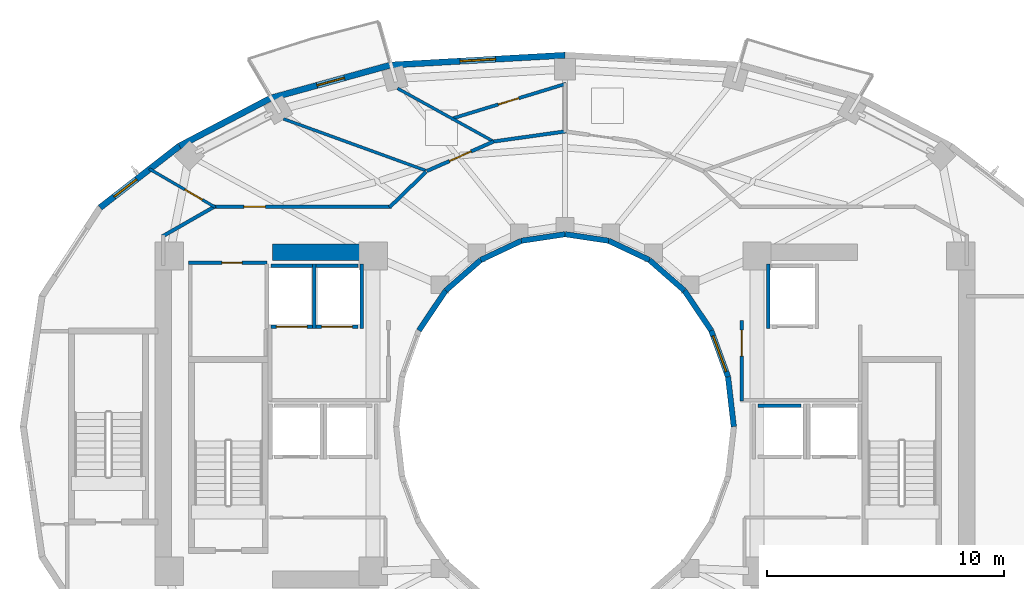
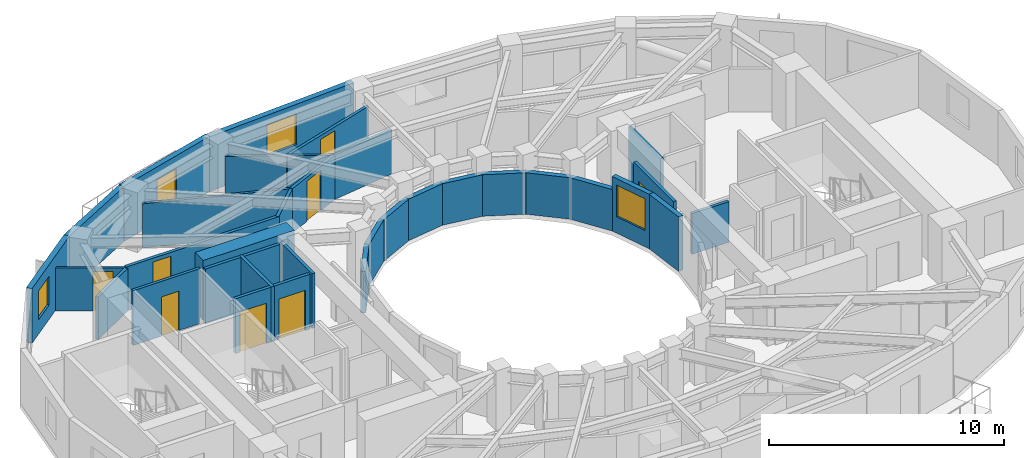
# One storey, part 5 of 10: 34 walls, 9 doors, 3 windows, 12 openings.
"""IFC4 building model written with IfcOpenShell, lengths in metres."""

from ifc_helpers import new_model, si_unit, direction, frame, frame_2d, origin, place, context, subcontext, project, spatial, rectangle, extrude, material, layer, layer_set, type_object, element, fill, save


model = new_model("IFC4")

# Units and contexts
model_context = context("Model", 3, precision=1e-05, world=origin(), true_north=direction((0.0, 1.0)))
body_context = subcontext(model_context, "Body", "Model", "MODEL_VIEW")
ifc_project = project(units=[si_unit("LENGTHUNIT", "METRE"), si_unit("AREAUNIT", "SQUARE_METRE"), si_unit("VOLUMEUNIT", "CUBIC_METRE"), si_unit("PLANEANGLEUNIT", "RADIAN"), si_unit("MASSUNIT", "GRAM", prefix="KILO")], contexts=[model_context])

# Site, building, storey
site_placement = place(None, origin())
site = spatial("IfcSite", under=ifc_project, at=site_placement, CompositionType="ELEMENT")
building_placement = place(site_placement, origin())
building = spatial("IfcBuilding", under=site, at=building_placement, Name="Solvane Sanctuary Tower", CompositionType="ELEMENT")
storey_placement = place(building_placement, frame((0.0, 0.0, 165.300048828125)))
storey = spatial("IfcBuildingStorey", under=building, at=storey_placement, Name="L50", CompositionType="ELEMENT", Elevation=165.300048828125)

# Wall
ifc_material_1 = material(Name="Concrete C60/75", Category="concrete")
ifc_layer_1 = layer(ifc_material_1, 0.699951171875, Name="Concrete C60/75")
ifc_layer_set_1 = layer_set([ifc_layer_1], Name="Concrete C60/75")
wall_type_1 = type_object("IfcWallType", Name="Wall W-CORE-700", PredefinedType="SHEAR", material=ifc_layer_set_1)
wall_1_placement = place(storey_placement, frame((19.64990234375, 30.35009765625, 0.0), z_axis=(0.0, 0.0, 1.0), x_axis=(1.0, 0.0, 0.0)))
element("IfcWall", 1, at=wall_1_placement, inside=storey, type_object=wall_type_1, Name="L50 Core Shear Wall WC-N", PredefinedType="SHEAR", context=body_context, shape_type="SweptSolid", body=[
    extrude(rectangle(XDim=4.5, YDim=0.699951171875, at=frame_2d((2.25, 0.0))), origin(), (0.0, 0.0, 1.0), 3.099853515625),
])

# Wall, opening, door
ifc_material_2 = material(Name="Acoustic Gypsum Partition Board")
ifc_layer_2 = layer(ifc_material_2, 0.14990234375, Name="Acoustic Gypsum Partition Board")
ifc_layer_set_2 = layer_set([ifc_layer_2], Name="Acoustic Gypsum Partition Board")
wall_type_2 = type_object("IfcWallType", Name="Wall W-CORR-150", PredefinedType="PARTITIONING", material=ifc_layer_set_2)
wall_2_placement = place(storey_placement, frame((39.449951171875, 24.080078125, 0.0), z_axis=(0.0, 0.0, 1.0), x_axis=(0.0, 1.0, 0.0)))
wall_2 = element("IfcWall", 2, at=wall_2_placement, inside=storey, type_object=wall_type_2, Name="L50 East Firefighting Lobby West Wall", PredefinedType="PARTITIONING", context=body_context, shape_type="SweptSolid", body=[
    extrude(rectangle(XDim=3.39990234375, YDim=0.14990234375, at=frame_2d((1.699951171875, 0.0))), origin(), (0.0, 0.0, 1.0), 2.85498046875),
])
opening_1_placement = place(wall_2_placement, frame((1.893798828125, 0.0, 0.0)))
opening_1 = element("IfcOpeningElement", 3, at=opening_1_placement, cuts=wall_2, Name="Opening D-L50-09", PredefinedType="OPENING", context=body_context, shape_type="SweptSolid", body=[
    extrude(rectangle(XDim=1.10009765625, YDim=2.10009765625, at=frame_2d((0.550048828125, 1.050048828125))), frame((0.0, 0.0849609375, 0.0), z_axis=(0.0, -1.0, 0.0), x_axis=(1.0, 0.0, 0.0)), (0.0, 0.0, 1.0), 0.169921875),
])
ifc_material_3 = material(Name="Architectural Stainless Steel 316", Category="steel")
door_type_1 = type_object("IfcDoorType", Name="Door D-FFL", OperationType="NOTDEFINED", PredefinedType="DOOR", material=ifc_material_3)
door_1_placement = place(opening_1_placement, origin())
door_1 = element("IfcDoor", 4, at=door_1_placement, inside=storey, type_object=door_type_1, Name="L50 East Firefighting Lobby Fire Door", OperationType="SINGLE_SWING_RIGHT", OverallHeight=2.10009765625, OverallWidth=1.10009765625, PredefinedType="DOOR", context=body_context, shape_type="SweptSolid", body=[
    extrude(rectangle(XDim=1.10009765625, YDim=2.10009765625, at=frame_2d((0.550048828125, 1.050048828125))), frame((0.0, 0.02490234375, 0.0), z_axis=(0.0, -1.0, 0.0), x_axis=(1.0, 0.0, 0.0)), (0.0, 0.0, 1.0), 0.050048828125),
])
fill(opening_1, door_1)

# Wall
wall_3_placement = place(storey_placement, frame((26.132568359375, 33.748779296875, 0.0), z_axis=(0.0, 0.0, 1.0), x_axis=(-0.717419568599, -0.696641344302, 0.0)))
element("IfcWall", 5, at=wall_3_placement, inside=storey, type_object=wall_type_2, Name="L50 NW Corner Throat Wall", PredefinedType="PARTITIONING", context=body_context, shape_type="SweptSolid", body=[
    extrude(rectangle(XDim=2.138427734375, YDim=0.14990234375, at=frame_2d((1.0693359375, 0.0))), origin(), (0.0, 0.0, 1.0), 2.299072265625),
])

# Wall, opening, door
wall_4_placement = place(storey_placement, frame((17.14990234375, 32.280029296875, 0.0), z_axis=(0.0, 0.0, 1.0), x_axis=(1.0, 0.0, 0.0)))
wall_4 = element("IfcWall", 6, at=wall_4_placement, inside=storey, type_object=wall_type_2, Name="L50 NW Corner Corridor Wall", PredefinedType="PARTITIONING", context=body_context, shape_type="SweptSolid", body=[
    extrude(rectangle(XDim=7.52001953125, YDim=0.14990234375, at=frame_2d((3.760009765625, 0.0))), origin(), (0.0, 0.0, 1.0), 2.299072265625),
])
opening_2_placement = place(wall_4_placement, frame((1.300048828125, 0.0, 0.0)))
opening_2 = element("IfcOpeningElement", 7, at=opening_2_placement, cuts=wall_4, Name="Opening D-L50-16", PredefinedType="OPENING", context=body_context, shape_type="SweptSolid", body=[
    extrude(rectangle(XDim=0.89990234375, YDim=2.10009765625, at=frame_2d((0.449951171875, 1.050048828125))), frame((0.0, 0.0849609375, 0.0), z_axis=(0.0, -1.0, 0.0), x_axis=(1.0, 0.0, 0.0)), (0.0, 0.0, 1.0), 0.169921875),
])
ifc_material_4 = material(Name="Engineered Tropical Hardwood", Category="wood")
door_type_2 = type_object("IfcDoorType", Name="Door D-WET-900", OperationType="NOTDEFINED", PredefinedType="DOOR", material=ifc_material_4)
door_2_placement = place(opening_2_placement, origin())
door_2 = element("IfcDoor", 8, at=door_2_placement, inside=storey, type_object=door_type_2, Name="L50 NW Corner Salon Door", OperationType="SINGLE_SWING_LEFT", OverallHeight=2.10009765625, OverallWidth=0.89990234375, PredefinedType="DOOR", context=body_context, shape_type="SweptSolid", body=[
    extrude(rectangle(XDim=0.89990234375, YDim=2.10009765625, at=frame_2d((0.449951171875, 1.050048828125))), frame((0.0, 0.02490234375, 0.0), z_axis=(0.0, -1.0, 0.0), x_axis=(1.0, 0.0, 0.0)), (0.0, 0.0, 1.0), 0.050048828125),
])
fill(opening_2, door_2)

# Walls
wall_5_placement = place(storey_placement, frame((17.243408203125, 32.3046875, 0.0), z_axis=(0.0, 0.0, 1.0), x_axis=(-0.867991349648, -0.496579315857, 0.0)))
element("IfcWall", 9, at=wall_5_placement, inside=storey, type_object=wall_type_2, Name="L50 NW Corner Wing Wall", PredefinedType="PARTITIONING", context=body_context, shape_type="SweptSolid", body=[
    extrude(rectangle(XDim=2.56689453125, YDim=0.14990234375, at=frame_2d((1.283447265625, 0.0))), origin(), (0.0, 0.0, 1.0), 2.219970703125),
])
wall_6_placement = place(storey_placement, frame((32.049560546875, 35.462890625, 0.0), z_axis=(0.0, 0.0, 1.0), x_axis=(-0.990254405439, -0.139270285808, 0.0)))
element("IfcWall", 10, at=wall_6_placement, inside=storey, type_object=wall_type_2, Name="L50 En-suite Inner Wall N1", PredefinedType="PARTITIONING", context=body_context, shape_type="SweptSolid", body=[
    extrude(rectangle(XDim=3.146728515625, YDim=0.14990234375, at=frame_2d((1.5732421875, 0.0))), origin(), (0.0, 0.0, 1.0), 2.299072265625),
])

# Wall, opening, door
wall_7_placement = place(storey_placement, frame((28.9912109375, 35.03369140625, 0.0), z_axis=(0.0, 0.0, 1.0), x_axis=(-0.91445214467, -0.404694051239, 0.0)))
wall_7 = element("IfcWall", 11, at=wall_7_placement, inside=storey, type_object=wall_type_2, Name="L50 Unit Corridor Wall N2", PredefinedType="PARTITIONING", context=body_context, shape_type="SweptSolid", body=[
    extrude(rectangle(XDim=3.090576171875, YDim=0.14990234375, at=frame_2d((1.54541015625, 0.0))), origin(), (0.0, 0.0, 1.0), 2.299072265625),
])
opening_3_placement = place(wall_7_placement, frame((1.04541015625, 0.0, 0.0)))
opening_3 = element("IfcOpeningElement", 12, at=opening_3_placement, cuts=wall_7, Name="Opening D-L50-23", PredefinedType="OPENING", context=body_context, shape_type="SweptSolid", body=[
    extrude(rectangle(XDim=1.0, YDim=2.10009765625, at=frame_2d((0.5, 1.050048828125))), frame((0.0, 0.0849609375, 0.0), z_axis=(0.0, -1.0, 0.0), x_axis=(1.0, 0.0, 0.0)), (0.0, 0.0, 1.0), 0.169921875),
])
door_type_3 = type_object("IfcDoorType", Name="Door D-UNIT", OperationType="NOTDEFINED", PredefinedType="DOOR", material=ifc_material_4)
door_3_placement = place(opening_3_placement, origin())
door_3 = element("IfcDoor", 13, at=door_3_placement, inside=storey, type_object=door_type_3, Name="L50 Unit Entrance Door N2", OperationType="SINGLE_SWING_RIGHT", OverallHeight=2.10009765625, OverallWidth=1.0, PredefinedType="DOOR", context=body_context, shape_type="SweptSolid", body=[
    extrude(rectangle(XDim=1.0, YDim=2.10009765625, at=frame_2d((0.5, 1.050048828125))), frame((0.0, 0.02490234375, 0.0), z_axis=(0.0, -1.0, 0.0), x_axis=(1.0, 0.0, 0.0)), (0.0, 0.0, 1.0), 0.050048828125),
])
fill(opening_3, door_3)

# Wall, opening, window
ifc_material_5 = material(Name="Precast concrete C40/50", Category="concrete")
ifc_layer_3 = layer(ifc_material_5, 0.260009765625, Name="Precast concrete C40/50")
ifc_layer_set_3 = layer_set([ifc_layer_3], Name="Precast concrete C40/50")
wall_type_3 = type_object("IfcWallType", Name="Wall W-EXT-250", PredefinedType="STANDARD", material=ifc_layer_set_3)
wall_8_placement = place(storey_placement, frame((32.0, 38.67138671875, 0.0), z_axis=(0.0, 0.0, 1.0), x_axis=(-0.998417906562, -0.056228852534, 0.0)))
wall_8 = element("IfcWall", 14, at=wall_8_placement, inside=storey, type_object=wall_type_3, Name="L50 Ceramic-Printed Facade Wall 06", PredefinedType="STANDARD", context=body_context, shape_type="SweptSolid", body=[
    extrude(rectangle(XDim=7.376953125, YDim=0.260009765625, at=frame_2d((3.6884765625, 0.0))), origin(), (0.0, 0.0, 1.0), 2.849853515625),
])
opening_4_placement = place(wall_8_placement, frame((2.9384765625, 0.0, 0.75)))
opening_4 = element("IfcOpeningElement", 15, at=opening_4_placement, cuts=wall_8, Name="Opening WN-OPER-1500", PredefinedType="OPENING", context=body_context, shape_type="SweptSolid", body=[
    extrude(rectangle(XDim=1.5, YDim=1.60009765625, at=frame_2d((0.75, 0.800048828125))), frame((0.0, 0.139892578125, 0.0), z_axis=(0.0, -1.0, 0.0), x_axis=(1.0, 0.0, 0.0)), (0.0, 0.0, 1.0), 0.280029296875),
])
ifc_material_6 = material(Name="Dark Ceramic-Fritted Low-E Glass", Category="glass")
window_type_1 = type_object("IfcWindowType", Name="Window WN-OPER-1500", PartitioningType="SINGLE_PANEL", PredefinedType="WINDOW", material=ifc_material_6)
window_1_placement = place(opening_4_placement, origin())
window_1 = element("IfcWindow", 16, at=window_1_placement, inside=storey, type_object=window_type_1, Name="L50 Operable Facade Window 06", OverallHeight=1.60009765625, OverallWidth=1.5, PartitioningType="SINGLE_PANEL", PredefinedType="WINDOW", context=body_context, shape_type="SweptSolid", body=[
    extrude(rectangle(XDim=1.5, YDim=1.60009765625, at=frame_2d((0.75, 0.800048828125))), frame((0.0, 0.030029296875, 0.0), z_axis=(0.0, -1.0, 0.0), x_axis=(1.0, 0.0, 0.0)), (0.0, 0.0, 1.0), 0.06005859375),
])
fill(opening_4, window_1)

# Wall, opening, door
wall_9_placement = place(storey_placement, frame((24.634765625, 38.256591796875, 0.0), z_axis=(0.0, 0.0, 1.0), x_axis=(-0.963953455704, -0.26607092144, 0.0)))
wall_9 = element("IfcWall", 17, at=wall_9_placement, inside=storey, type_object=wall_type_3, Name="L50 Balcony Facade Wall N2", PredefinedType="STANDARD", context=body_context, shape_type="SweptSolid", body=[
    extrude(rectangle(XDim=5.236572265625, YDim=0.260009765625, at=frame_2d((2.6181640625, 0.0))), origin(), (0.0, 0.0, 1.0), 2.8798828125),
])
opening_5_placement = place(wall_9_placement, frame((2.018310546875, 0.0, 0.0)))
opening_5 = element("IfcOpeningElement", 18, at=opening_5_placement, cuts=wall_9, Name="Opening D-L50-02", PredefinedType="OPENING", context=body_context, shape_type="SweptSolid", body=[
    extrude(rectangle(XDim=1.199951171875, YDim=2.199951171875, at=frame_2d((0.60009765625, 1.10009765625))), frame((0.0, 0.139892578125, 0.0), z_axis=(0.0, -1.0, 0.0), x_axis=(1.0, 0.0, 0.0)), (0.0, 0.0, 1.0), 0.280029296875),
])
ifc_material_7 = material(Name="Anodised Aluminium 6063-T6", Category="aluminium")
door_type_4 = type_object("IfcDoorType", Name="Door D-BALC-1200", OperationType="NOTDEFINED", PredefinedType="DOOR", material=ifc_material_7)
door_4_placement = place(opening_5_placement, origin())
door_4 = element("IfcDoor", 19, at=door_4_placement, inside=storey, type_object=door_type_4, Name="L50 Glazed Balcony Door N2", OperationType="SINGLE_SWING_LEFT", OverallHeight=2.199951171875, OverallWidth=1.199951171875, PredefinedType="DOOR", context=body_context, shape_type="SweptSolid", body=[
    extrude(rectangle(XDim=1.199951171875, YDim=2.199951171875, at=frame_2d((0.60009765625, 1.10009765625))), frame((0.0, 0.02490234375, 0.0), z_axis=(0.0, -1.0, 0.0), x_axis=(1.0, 0.0, 0.0)), (0.0, 0.0, 1.0), 0.050048828125),
])
fill(opening_5, door_4)

# Wall
wall_10_placement = place(storey_placement, frame((19.5869140625, 36.86328125, 0.0), z_axis=(0.0, 0.0, 1.0), x_axis=(-0.885660265226, -0.464333818065, 0.0)))
element("IfcWall", 20, at=wall_10_placement, inside=storey, type_object=wall_type_3, Name="L50 Ceramic-Printed Facade Wall 08", PredefinedType="STANDARD", context=body_context, shape_type="SweptSolid", body=[
    extrude(rectangle(XDim=4.35400390625, YDim=0.260009765625, at=frame_2d((2.177001953125, 0.0))), origin(), (0.0, 0.0, 1.0), 2.849853515625),
])

# Wall, opening, window
wall_11_placement = place(storey_placement, frame((15.730712890625, 34.841552734375, 0.0), z_axis=(0.0, 0.0, 1.0), x_axis=(-0.790185650662, -0.612867552973, 0.0)))
wall_11 = element("IfcWall", 21, at=wall_11_placement, inside=storey, type_object=wall_type_3, Name="L50 Ceramic-Printed Facade Wall 09", PredefinedType="STANDARD", context=body_context, shape_type="SweptSolid", body=[
    extrude(rectangle(XDim=4.2392578125, YDim=0.260009765625, at=frame_2d((2.11962890625, 0.0))), origin(), (0.0, 0.0, 1.0), 2.849853515625),
])
opening_6_placement = place(wall_11_placement, frame((2.290283203125, 0.0, 0.75)))
opening_6 = element("IfcOpeningElement", 22, at=opening_6_placement, cuts=wall_11, Name="Opening WN-OPER-1200", PredefinedType="OPENING", context=body_context, shape_type="SweptSolid", body=[
    extrude(rectangle(XDim=1.199951171875, YDim=1.5, at=frame_2d((0.60009765625, 0.75))), frame((0.0, 0.139892578125, 0.0), z_axis=(0.0, -1.0, 0.0), x_axis=(1.0, 0.0, 0.0)), (0.0, 0.0, 1.0), 0.280029296875),
])
window_type_2 = type_object("IfcWindowType", Name="Window WN-OPER-1200", PartitioningType="SINGLE_PANEL", PredefinedType="WINDOW", material=ifc_material_6)
window_2_placement = place(opening_6_placement, origin())
window_2 = element("IfcWindow", 23, at=window_2_placement, inside=storey, type_object=window_type_2, Name="L50 Operable Facade Window 09", OverallHeight=1.5, OverallWidth=1.199951171875, PartitioningType="SINGLE_PANEL", PredefinedType="WINDOW", context=body_context, shape_type="SweptSolid", body=[
    extrude(rectangle(XDim=1.199951171875, YDim=1.5, at=frame_2d((0.60009765625, 0.75))), frame((0.0, 0.030029296875, 0.0), z_axis=(0.0, -1.0, 0.0), x_axis=(1.0, 0.0, 0.0)), (0.0, 0.0, 1.0), 0.06005859375),
])
fill(opening_6, window_2)

# Wall
ifc_layer_4 = layer(ifc_material_5, 0.22998046875, Name="Precast concrete C40/50")
ifc_layer_set_4 = layer_set([ifc_layer_4], Name="Precast concrete C40/50")
wall_type_4 = type_object("IfcWallType", Name="Wall W-EXT-SP220", PredefinedType="STANDARD", material=ifc_layer_set_4)
wall_12_placement = place(storey_placement, frame((39.1201171875, 23.0, 0.0), z_axis=(0.0, 0.0, 1.0), x_axis=(-0.114711713601, 0.993398823617, 0.0)))
element("IfcWall", 24, at=wall_12_placement, inside=storey, type_object=wall_type_4, Name="L50 Central Light-Well Wall 00", PredefinedType="STANDARD", context=body_context, shape_type="SweptSolid", body=[
    extrude(rectangle(XDim=2.115478515625, YDim=0.22998046875, at=frame_2d((1.0576171875, 0.0))), origin(), (0.0, 0.0, 1.0), 2.83984375),
])

# Wall, opening, window
wall_13_placement = place(storey_placement, frame((38.87744140625, 25.1015625, 0.0), z_axis=(0.0, 0.0, 1.0), x_axis=(-0.341423187295, 0.93990968033, 0.0)))
wall_13 = element("IfcWall", 25, at=wall_13_placement, inside=storey, type_object=wall_type_4, Name="L50 Central Light-Well Wall 01", PredefinedType="STANDARD", context=body_context, shape_type="SweptSolid", body=[
    extrude(rectangle(XDim=2.083740234375, YDim=0.22998046875, at=frame_2d((1.0419921875, 0.0))), origin(), (0.0, 0.0, 1.0), 2.83984375),
])
opening_7_placement = place(wall_13_placement, frame((0.24169921875, 0.0, 0.85009765625)))
opening_7 = element("IfcOpeningElement", 26, at=opening_7_placement, cuts=wall_13, Name="Opening WN-WELL-1600", PredefinedType="OPENING", context=body_context, shape_type="SweptSolid", body=[
    extrude(rectangle(XDim=1.60009765625, YDim=1.64990234375, at=frame_2d((0.800048828125, 0.824951171875))), frame((0.0, 0.125, 0.0), z_axis=(0.0, -1.0, 0.0), x_axis=(1.0, 0.0, 0.0)), (0.0, 0.0, 1.0), 0.25),
])
ifc_material_8 = material(Name="Clear Laminated Light-Well Glass", Category="glass")
window_type_3 = type_object("IfcWindowType", Name="Window WN-WELL-1600", PartitioningType="SINGLE_PANEL", PredefinedType="WINDOW", material=ifc_material_8)
window_3_placement = place(opening_7_placement, origin())
window_3 = element("IfcWindow", 27, at=window_3_placement, inside=storey, type_object=window_type_3, Name="L50 Light-Well Daylight Window 01", OverallHeight=1.64990234375, OverallWidth=1.60009765625, PartitioningType="SINGLE_PANEL", PredefinedType="WINDOW", context=body_context, shape_type="SweptSolid", body=[
    extrude(rectangle(XDim=1.60009765625, YDim=1.64990234375, at=frame_2d((0.800048828125, 0.824951171875))), frame((0.0, 0.030029296875, 0.0), z_axis=(0.0, -1.0, 0.0), x_axis=(1.0, 0.0, 0.0)), (0.0, 0.0, 1.0), 0.06005859375),
])
fill(opening_7, window_3)

# Walls
wall_14_placement = place(storey_placement, frame((38.166015625, 27.06005859375, 0.0), z_axis=(0.0, 0.0, 1.0), x_axis=(-0.558197800898, 0.829707909492, 0.0)))
element("IfcWall", 28, at=wall_14_placement, inside=storey, type_object=wall_type_4, Name="L50 Central Light-Well Wall 02", PredefinedType="STANDARD", context=body_context, shape_type="SweptSolid", body=[
    extrude(rectangle(XDim=2.02685546875, YDim=0.22998046875, at=frame_2d((1.013427734375, 0.0))), origin(), (0.0, 0.0, 1.0), 2.159912109375),
])
wall_15_placement = place(storey_placement, frame((37.03466796875, 28.74169921875, 0.0), z_axis=(0.0, 0.0, 1.0), x_axis=(-0.752576694707, 0.658504607869, 0.0)))
element("IfcWall", 29, at=wall_15_placement, inside=storey, type_object=wall_type_4, Name="L50 Central Light-Well Wall 03", PredefinedType="STANDARD", context=body_context, shape_type="SweptSolid", body=[
    extrude(rectangle(XDim=1.95947265625, YDim=0.22998046875, at=frame_2d((0.979736328125, 0.0))), origin(), (0.0, 0.0, 1.0), 2.159912109375),
])
wall_16_placement = place(storey_placement, frame((35.56005859375, 30.031982421875, 0.0), z_axis=(0.0, 0.0, 1.0), x_axis=(-0.904179699603, 0.427152280606, 0.0)))
element("IfcWall", 30, at=wall_16_placement, inside=storey, type_object=wall_type_4, Name="L50 Central Light-Well Wall 04", PredefinedType="STANDARD", context=body_context, shape_type="SweptSolid", body=[
    extrude(rectangle(XDim=1.899169921875, YDim=0.22998046875, at=frame_2d((0.94970703125, 0.0))), origin(), (0.0, 0.0, 1.0), 2.159912109375),
])
for number, where, z_axis, x_axis, name in (
    (31, (33.8427734375, 30.84326171875, 0.0), (0.0, 0.0, 1.0), (-0.988901730308, 0.148571086668, 0.0), "L50 Central Light-Well Wall 05"),
    (32, (32.0, 31.1201171875, 0.0), (0.0, 0.0, 1.0), (-0.988901730308, -0.148571086668, 0.0), "L50 Central Light-Well Wall 06"),
):
    element("IfcWall", number, at=place(storey_placement, frame(where, z_axis=z_axis, x_axis=x_axis)), inside=storey, type_object=wall_type_4, Name=name, PredefinedType="STANDARD", context=body_context, shape_type="SweptSolid", body=[
        extrude(rectangle(XDim=1.863525390625, YDim=0.22998046875, at=frame_2d((0.931640625, 0.0))), origin(), (0.0, 0.0, 1.0), 2.159912109375),
    ])
wall_17_placement = place(storey_placement, frame((30.1572265625, 30.84326171875, 0.0), z_axis=(0.0, 0.0, 1.0), x_axis=(-0.904179699603, -0.427152280606, 0.0)))
element("IfcWall", 33, at=wall_17_placement, inside=storey, type_object=wall_type_4, Name="L50 Central Light-Well Wall 07", PredefinedType="STANDARD", context=body_context, shape_type="SweptSolid", body=[
    extrude(rectangle(XDim=1.899169921875, YDim=0.22998046875, at=frame_2d((0.94970703125, 0.0))), origin(), (0.0, 0.0, 1.0), 2.159912109375),
])
wall_18_placement = place(storey_placement, frame((28.43994140625, 30.031982421875, 0.0), z_axis=(0.0, 0.0, 1.0), x_axis=(-0.752576694707, -0.658504607869, 0.0)))
element("IfcWall", 34, at=wall_18_placement, inside=storey, type_object=wall_type_4, Name="L50 Central Light-Well Wall 08", PredefinedType="STANDARD", context=body_context, shape_type="SweptSolid", body=[
    extrude(rectangle(XDim=1.95947265625, YDim=0.22998046875, at=frame_2d((0.979736328125, 0.0))), origin(), (0.0, 0.0, 1.0), 2.159912109375),
])
wall_19_placement = place(storey_placement, frame((26.96533203125, 28.74169921875, 0.0), z_axis=(0.0, 0.0, 1.0), x_axis=(-0.558197800898, -0.829707909492, 0.0)))
element("IfcWall", 35, at=wall_19_placement, inside=storey, type_object=wall_type_4, Name="L50 Central Light-Well Wall 09", PredefinedType="STANDARD", context=body_context, shape_type="SweptSolid", body=[
    extrude(rectangle(XDim=2.02685546875, YDim=0.22998046875, at=frame_2d((1.013427734375, 0.0))), origin(), (0.0, 0.0, 1.0), 2.159912109375),
])

# Wall, opening, door
ifc_layer_5 = layer(ifc_material_2, 0.1201171875, Name="Acoustic Gypsum Partition Board")
ifc_layer_set_5 = layer_set([ifc_layer_5], Name="Acoustic Gypsum Partition Board")
wall_type_5 = type_object("IfcWallType", Name="Wall W-MOV-100", PredefinedType="MOVABLE", material=ifc_layer_set_5)
wall_20_placement = place(storey_placement, frame((17.2431640625, 32.2548828125, 0.0), z_axis=(0.0, 0.0, 1.0), x_axis=(-0.864408655832, 0.502789892224, 0.0)))
wall_20 = element("IfcWall", 36, at=wall_20_placement, inside=storey, type_object=wall_type_5, Name="L50 NW Corner Suite Partition", PredefinedType="MOVABLE", context=body_context, shape_type="SweptSolid", body=[
    extrude(rectangle(XDim=3.23046875, YDim=0.1201171875, at=frame_2d((1.615234375, 0.0))), origin(), (0.0, 0.0, 1.0), 2.219970703125),
])
opening_8_placement = place(wall_20_placement, frame((0.640625, 0.0, 0.0)))
opening_8 = element("IfcOpeningElement", 37, at=opening_8_placement, cuts=wall_20, Name="Opening D-L50-15", PredefinedType="OPENING", context=body_context, shape_type="SweptSolid", body=[
    extrude(rectangle(XDim=0.85009765625, YDim=2.050048828125, at=frame_2d((0.425048828125, 1.02490234375))), frame((0.0, 0.070068359375, 0.0), z_axis=(0.0, -1.0, 0.0), x_axis=(1.0, 0.0, 0.0)), (0.0, 0.0, 1.0), 0.14013671875),
])
door_type_5 = type_object("IfcDoorType", Name="Door D-RISER", OperationType="NOTDEFINED", PredefinedType="DOOR", material=ifc_material_3)
door_5_placement = place(opening_8_placement, origin())
door_5 = element("IfcDoor", 38, at=door_5_placement, inside=storey, type_object=door_type_5, Name="L50 NW Corner Suite Door", OperationType="SINGLE_SWING_RIGHT", OverallHeight=2.050048828125, OverallWidth=0.85009765625, PredefinedType="DOOR", context=body_context, shape_type="SweptSolid", body=[
    extrude(rectangle(XDim=0.85009765625, YDim=2.050048828125, at=frame_2d((0.425048828125, 1.02490234375))), frame((0.0, 0.02490234375, 0.0), z_axis=(0.0, -1.0, 0.0), x_axis=(1.0, 0.0, 0.0)), (0.0, 0.0, 1.0), 0.050048828125),
])
fill(opening_8, door_5)

# Walls
ifc_layer_6 = layer(ifc_material_2, 0.125, Name="Acoustic Gypsum Partition Board")
ifc_layer_set_6 = layer_set([ifc_layer_6], Name="Acoustic Gypsum Partition Board")
wall_type_6 = type_object("IfcWallType", Name="Wall W-PART-125", PredefinedType="PARTITIONING", material=ifc_layer_set_6)
wall_21_placement = place(storey_placement, frame((28.93505859375, 35.05810546875, 0.0), z_axis=(0.0, 0.0, 1.0), x_axis=(-0.875077338582, 0.48398311076, 0.0)))
element("IfcWall", 39, at=wall_21_placement, inside=storey, type_object=wall_type_6, Name="L50 Radial Compartment Wall 105", PredefinedType="PARTITIONING", context=body_context, shape_type="SweptSolid", body=[
    extrude(rectangle(XDim=4.5732421875, YDim=0.125, at=frame_2d((2.28662109375, 0.0))), origin(), (0.0, 0.0, 1.0), 2.299072265625),
])
wall_22_placement = place(storey_placement, frame((26.120361328125, 33.805908203125, 0.0), z_axis=(0.0, 0.0, 1.0), x_axis=(-0.939901628116, 0.341445353557, 0.0)))
element("IfcWall", 40, at=wall_22_placement, inside=storey, type_object=wall_type_6, Name="L50 Radial Compartment Wall 120", PredefinedType="PARTITIONING", context=body_context, shape_type="SweptSolid", body=[
    extrude(rectangle(XDim=6.38720703125, YDim=0.125, at=frame_2d((3.193603515625, 0.0))), origin(), (0.0, 0.0, 1.0), 2.299072265625),
])
ifc_material_9 = material(Name="Concrete C50/60", Category="concrete")
ifc_layer_7 = layer(ifc_material_9, 0.14990234375, Name="Concrete C50/60")
ifc_layer_set_7 = layer_set([ifc_layer_7], Name="Concrete C50/60")
wall_type_7 = type_object("IfcWallType", Name="Wall W-SHAFT-150", PredefinedType="SOLIDWALL", material=ifc_layer_set_7)
wall_23_placement = place(storey_placement, frame((40.139892578125, 23.8798828125, 0.0), z_axis=(0.0, 0.0, 1.0), x_axis=(1.0, 0.0, 0.0)))
element("IfcWall", 41, at=wall_23_placement, inside=storey, type_object=wall_type_7, Name="L50 PH-2 Lift Shaft Wall B", PredefinedType="SOLIDWALL", context=body_context, shape_type="SweptSolid", body=[
    extrude(rectangle(XDim=1.820068359375, YDim=0.14990234375, at=frame_2d((0.91015625, 0.0))), origin(), (0.0, 0.0, 1.0), 2.119873046875),
])

# Wall, opening, door
wall_24_placement = place(storey_placement, frame((19.590087890625, 27.219970703125, 0.0), z_axis=(0.0, 0.0, 1.0), x_axis=(1.0, 0.0, 0.0)))
wall_24 = element("IfcWall", 42, at=wall_24_placement, inside=storey, type_object=wall_type_7, Name="L50 FFL-1 Lift Shaft Wall F", PredefinedType="SOLIDWALL", context=body_context, shape_type="SweptSolid", body=[
    extrude(rectangle(XDim=1.760009765625, YDim=0.14990234375, at=frame_2d((0.8798828125, 0.0))), origin(), (0.0, 0.0, 1.0), 2.85498046875),
])
opening_9_placement = place(wall_24_placement, frame((0.22998046875, 0.0, 0.0)))
opening_9 = element("IfcOpeningElement", 43, at=opening_9_placement, cuts=wall_24, Name="Opening LD-L50-03", PredefinedType="OPENING", context=body_context, shape_type="SweptSolid", body=[
    extrude(rectangle(XDim=1.300048828125, YDim=2.10009765625, at=frame_2d((0.64990234375, 1.050048828125))), frame((0.0, 0.0849609375, 0.0), z_axis=(0.0, -1.0, 0.0), x_axis=(1.0, 0.0, 0.0)), (0.0, 0.0, 1.0), 0.169921875),
])
door_type_6 = type_object("IfcDoorType", Name="Door LD-FFL-1300", OperationType="NOTDEFINED", PredefinedType="DOOR", material=ifc_material_3)
door_6_placement = place(opening_9_placement, origin())
door_6 = element("IfcDoor", 44, at=door_6_placement, inside=storey, type_object=door_type_6, Name="L50 FFL-1 Lift Landing Door", OperationType="DOUBLE_DOOR_SLIDING", OverallHeight=2.10009765625, OverallWidth=1.300048828125, PredefinedType="DOOR", context=body_context, shape_type="SweptSolid", body=[
    extrude(rectangle(XDim=1.300048828125, YDim=2.10009765625, at=frame_2d((0.64990234375, 1.050048828125))), frame((0.0, 0.02490234375, 0.0), z_axis=(0.0, -1.0, 0.0), x_axis=(1.0, 0.0, 0.0)), (0.0, 0.0, 1.0), 0.050048828125),
])
fill(opening_9, door_6)

# Walls
wall_25_placement = place(storey_placement, frame((19.590087890625, 29.780029296875, 0.0), z_axis=(0.0, 0.0, 1.0), x_axis=(1.0, 0.0, 0.0)))
element("IfcWall", 45, at=wall_25_placement, inside=storey, type_object=wall_type_7, Name="L50 FFL-1 Lift Shaft Wall B", PredefinedType="SOLIDWALL", context=body_context, shape_type="SweptSolid", body=[
    extrude(rectangle(XDim=1.760009765625, YDim=0.14990234375, at=frame_2d((0.8798828125, 0.0))), origin(), (0.0, 0.0, 1.0), 2.85498046875),
])
wall_26_placement = place(storey_placement, frame((21.425048828125, 27.139892578125, 0.0), z_axis=(0.0, 0.0, 1.0), x_axis=(0.0, 1.0, 0.0)))
element("IfcWall", 46, at=wall_26_placement, inside=storey, type_object=wall_type_7, Name="L50 FFL-1 Lift Shaft Wall S2", PredefinedType="SOLIDWALL", context=body_context, shape_type="SweptSolid", body=[
    extrude(rectangle(XDim=2.72021484375, YDim=0.14990234375, at=frame_2d((1.360107421875, 0.0))), origin(), (0.0, 0.0, 1.0), 2.85498046875),
])

# Wall, opening, door
wall_27_placement = place(storey_placement, frame((21.5, 27.219970703125, 0.0), z_axis=(0.0, 0.0, 1.0), x_axis=(1.0, 0.0, 0.0)))
wall_27 = element("IfcWall", 47, at=wall_27_placement, inside=storey, type_object=wall_type_7, Name="L50 SVL-1 Lift Shaft Wall F", PredefinedType="SOLIDWALL", context=body_context, shape_type="SweptSolid", body=[
    extrude(rectangle(XDim=1.760009765625, YDim=0.14990234375, at=frame_2d((0.8798828125, 0.0))), origin(), (0.0, 0.0, 1.0), 2.85498046875),
])
opening_10_placement = place(wall_27_placement, frame((0.22998046875, 0.0, 0.0)))
opening_10 = element("IfcOpeningElement", 48, at=opening_10_placement, cuts=wall_27, Name="Opening LD-L50-04", PredefinedType="OPENING", context=body_context, shape_type="SweptSolid", body=[
    extrude(rectangle(XDim=1.300048828125, YDim=2.10009765625, at=frame_2d((0.64990234375, 1.050048828125))), frame((0.0, 0.0849609375, 0.0), z_axis=(0.0, -1.0, 0.0), x_axis=(1.0, 0.0, 0.0)), (0.0, 0.0, 1.0), 0.169921875),
])
door_7_placement = place(opening_10_placement, origin())
door_7 = element("IfcDoor", 49, at=door_7_placement, inside=storey, type_object=door_type_6, Name="L50 SVL-1 Lift Landing Door", OperationType="DOUBLE_DOOR_SLIDING", OverallHeight=2.10009765625, OverallWidth=1.300048828125, PredefinedType="DOOR", context=body_context, shape_type="SweptSolid", body=[
    extrude(rectangle(XDim=1.300048828125, YDim=2.10009765625, at=frame_2d((0.64990234375, 1.050048828125))), frame((0.0, 0.02490234375, 0.0), z_axis=(0.0, -1.0, 0.0), x_axis=(1.0, 0.0, 0.0)), (0.0, 0.0, 1.0), 0.050048828125),
])
fill(opening_10, door_7)

# Walls
wall_28_placement = place(storey_placement, frame((21.5, 29.780029296875, 0.0), z_axis=(0.0, 0.0, 1.0), x_axis=(1.0, 0.0, 0.0)))
element("IfcWall", 50, at=wall_28_placement, inside=storey, type_object=wall_type_7, Name="L50 SVL-1 Lift Shaft Wall B", PredefinedType="SOLIDWALL", context=body_context, shape_type="SweptSolid", body=[
    extrude(rectangle(XDim=1.760009765625, YDim=0.14990234375, at=frame_2d((0.8798828125, 0.0))), origin(), (0.0, 0.0, 1.0), 2.85498046875),
])
for number, where, z_axis, x_axis, name in (
    (51, (23.429931640625, 27.139892578125, 0.0), (0.0, 0.0, 1.0), (0.0, 1.0, 0.0), "L50 SVL-1 Lift Shaft Wall S2"),
    (52, (40.570068359375, 27.139892578125, 0.0), (0.0, 0.0, 1.0), (0.0, 1.0, 0.0), "L50 FFL-2 Lift Shaft Wall S1"),
):
    element("IfcWall", number, at=place(storey_placement, frame(where, z_axis=z_axis, x_axis=x_axis)), inside=storey, type_object=wall_type_7, Name=name, PredefinedType="SOLIDWALL", context=body_context, shape_type="SweptSolid", body=[
        extrude(rectangle(XDim=2.72021484375, YDim=0.14990234375, at=frame_2d((1.360107421875, 0.0))), origin(), (0.0, 0.0, 1.0), 2.85498046875),
    ])

# Wall, opening, door
ifc_layer_8 = layer(ifc_material_2, 0.139892578125, Name="Acoustic Gypsum Partition Board")
ifc_layer_set_8 = layer_set([ifc_layer_8], Name="Acoustic Gypsum Partition Board")
wall_type_8 = type_object("IfcWallType", Name="Wall W-WET-140", PredefinedType="PLUMBINGWALL", material=ifc_layer_set_8)
wall_29_placement = place(storey_placement, frame((16.1201171875, 29.919921875, 0.0), z_axis=(0.0, 0.0, 1.0), x_axis=(1.0, 0.0, 0.0)))
wall_29 = element("IfcWall", 53, at=wall_29_placement, inside=storey, type_object=wall_type_8, Name="L50 Core Service Front Wall KW0", PredefinedType="PLUMBINGWALL", context=body_context, shape_type="SweptSolid", body=[
    extrude(rectangle(XDim=3.2998046875, YDim=0.139892578125, at=frame_2d((1.64990234375, 0.0))), origin(), (0.0, 0.0, 1.0), 2.85498046875),
])
opening_11_placement = place(wall_29_placement, frame((1.3994140625, 0.0, 0.0)))
opening_11 = element("IfcOpeningElement", 54, at=opening_11_placement, cuts=wall_29, Name="Opening D-L50-12", PredefinedType="OPENING", context=body_context, shape_type="SweptSolid", body=[
    extrude(rectangle(XDim=0.85009765625, YDim=2.050048828125, at=frame_2d((0.425048828125, 1.02490234375))), frame((0.0, 0.079833984375, 0.0), z_axis=(0.0, -1.0, 0.0), x_axis=(1.0, 0.0, 0.0)), (0.0, 0.0, 1.0), 0.159912109375),
])
door_8_placement = place(opening_11_placement, origin())
door_8 = element("IfcDoor", 55, at=door_8_placement, inside=storey, type_object=door_type_5, Name="L50 Core Service Room Door KW0-1", OperationType="SINGLE_SWING_LEFT", OverallHeight=2.050048828125, OverallWidth=0.85009765625, PredefinedType="DOOR", context=body_context, shape_type="SweptSolid", body=[
    extrude(rectangle(XDim=0.85009765625, YDim=2.050048828125, at=frame_2d((0.425048828125, 1.02490234375))), frame((0.0, 0.02490234375, 0.0), z_axis=(0.0, -1.0, 0.0), x_axis=(1.0, 0.0, 0.0)), (0.0, 0.0, 1.0), 0.050048828125),
])
fill(opening_11, door_8)

wall_30_placement = place(storey_placement, frame((32.0478515625, 37.470703125, 0.0), z_axis=(0.0, 0.0, 1.0), x_axis=(-0.956348216259, -0.292229514694, 0.0)))
wall_30 = element("IfcWall", 56, at=wall_30_placement, inside=storey, type_object=wall_type_8, Name="L50 En-suite Bedroom Wall N1", PredefinedType="PLUMBINGWALL", context=body_context, shape_type="SweptSolid", body=[
    extrude(rectangle(XDim=5.08447265625, YDim=0.139892578125, at=frame_2d((2.542236328125, 0.0))), origin(), (0.0, 0.0, 1.0), 2.299072265625),
])
opening_12_placement = place(wall_30_placement, frame((2.09228515625, 0.0, 0.0)))
opening_12 = element("IfcOpeningElement", 57, at=opening_12_placement, cuts=wall_30, Name="Opening D-L50-21", PredefinedType="OPENING", context=body_context, shape_type="SweptSolid", body=[
    extrude(rectangle(XDim=0.89990234375, YDim=2.10009765625, at=frame_2d((0.449951171875, 1.050048828125))), frame((0.0, 0.079833984375, 0.0), z_axis=(0.0, -1.0, 0.0), x_axis=(1.0, 0.0, 0.0)), (0.0, 0.0, 1.0), 0.159912109375),
])
door_9_placement = place(opening_12_placement, origin())
door_9 = element("IfcDoor", 58, at=door_9_placement, inside=storey, type_object=door_type_2, Name="L50 En-suite Bathroom Door N1", OperationType="SINGLE_SWING_RIGHT", OverallHeight=2.10009765625, OverallWidth=0.89990234375, PredefinedType="DOOR", context=body_context, shape_type="SweptSolid", body=[
    extrude(rectangle(XDim=0.89990234375, YDim=2.10009765625, at=frame_2d((0.449951171875, 1.050048828125))), frame((0.0, 0.02490234375, 0.0), z_axis=(0.0, -1.0, 0.0), x_axis=(1.0, 0.0, 0.0)), (0.0, 0.0, 1.0), 0.050048828125),
])
fill(opening_12, door_9)

save(model, "model.ifc")
